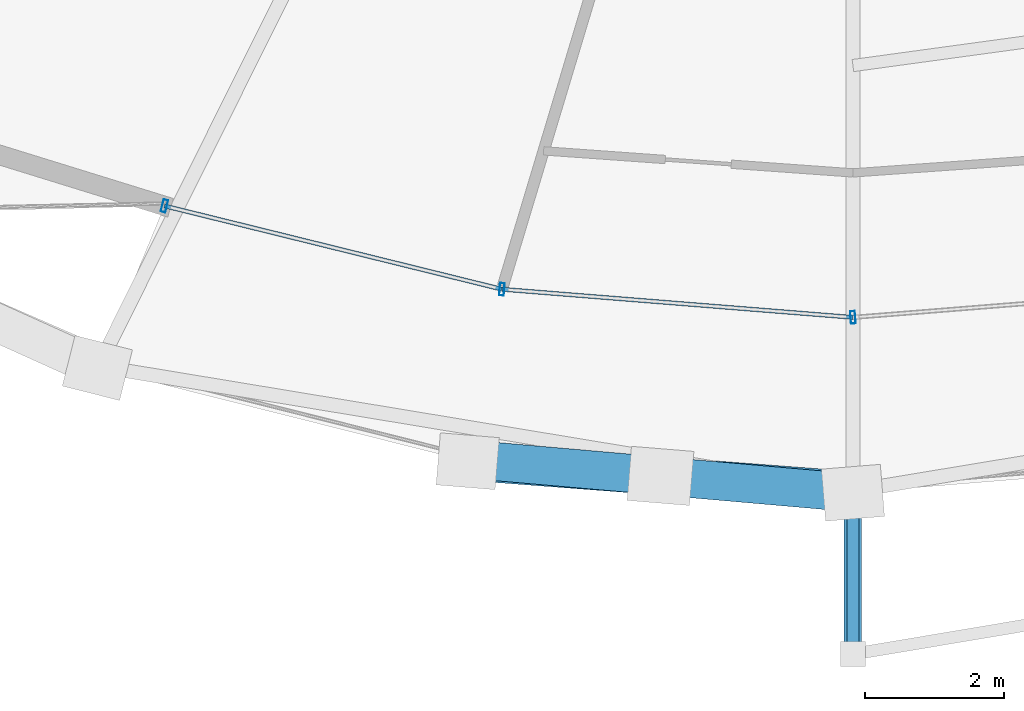
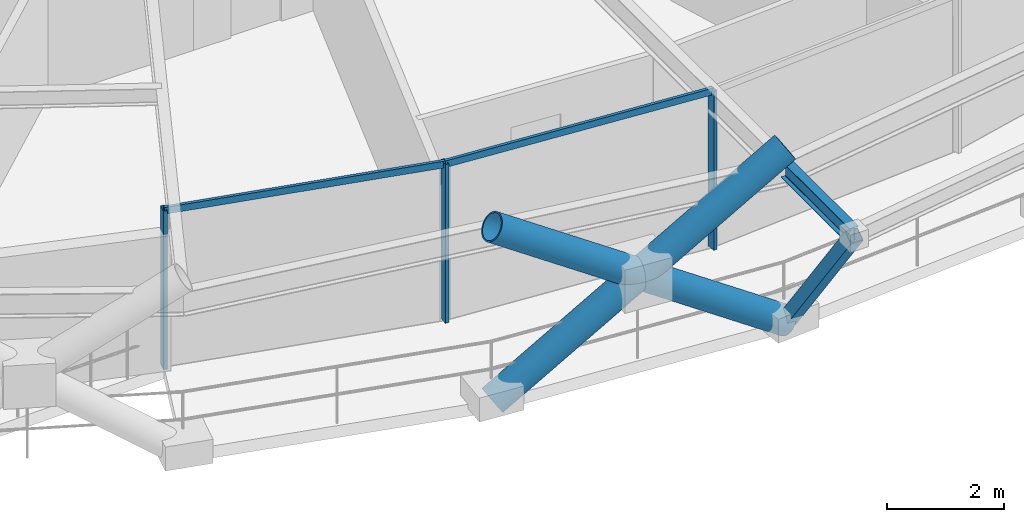
# One storey, part 2 of 22: 9 members, 1 beam, 1 element without a shape of its own.
"""IFC4 building model written with IfcOpenShell, lengths in metres."""

from ifc_helpers import new_model, si_unit, direction, frame, origin, origin_2d, place, context, subcontext, project, spatial, hollow_rectangle, hollow_circle, i_section, extrude, material, layer, layer_set, material_profile, profile_set, type_object, element, aggregate, save


model = new_model("IFC4")

# Units and contexts
model_context = context("Model", 3, precision=1e-05, world=origin(), true_north=direction((0.0, 1.0)))
body_context = subcontext(model_context, "Body", "Model", "MODEL_VIEW")
ifc_project = project(units=[si_unit("LENGTHUNIT", "METRE"), si_unit("AREAUNIT", "SQUARE_METRE"), si_unit("VOLUMEUNIT", "CUBIC_METRE"), si_unit("PLANEANGLEUNIT", "RADIAN"), si_unit("MASSUNIT", "GRAM", prefix="KILO")], contexts=[model_context])

# Site, building, storey
site_placement = place(None, origin())
site = spatial("IfcSite", under=ifc_project, at=site_placement, CompositionType="ELEMENT")
building_placement = place(site_placement, origin())
building = spatial("IfcBuilding", under=site, at=building_placement, Name="Veldorina Hangang Commons", CompositionType="ELEMENT")
storey_placement = place(building_placement, frame((0.0, 0.0, 146.0)))
storey = spatial("IfcBuildingStorey", under=building, at=storey_placement, Name="L37", CompositionType="ELEMENT", Elevation=146.0)

# Beam
ifc_material_1 = material(Name="Steel SM355-TMC", Category="steel")
ifc_material_profile_1 = material_profile(ifc_material_1, i_section(OverallWidth=0.175048828125, OverallDepth=0.35009765625, WebThickness=0.007080078125, FlangeThickness=0.010986328125, FilletRadius=0.012939453125, at=origin_2d()), Name="H-350x175x7x11")
ifc_profile_set_1 = profile_set([ifc_material_profile_1], Name="Steel SM355-TMC")
beam_type = type_object("IfcBeamType", Name="BM-FG350", PredefinedType="BEAM", material=ifc_profile_set_1)
beam_placement = place(storey_placement, frame((32.0, 0.471923828125, 3.175048828125), z_axis=(0.0, -1.0, 0.0), x_axis=(1.0, 0.0, 0.0)))
element("IfcBeam", 1, at=beam_placement, inside=storey, type_object=beam_type, Name="L38 tree balcony 1 bracket beam A", PredefinedType="BEAM", context=body_context, shape_type="SweptSolid", body=[
    extrude(i_section(OverallWidth=0.175048828125, OverallDepth=0.35009765625, WebThickness=0.007080078125, FlangeThickness=0.010986328125, FilletRadius=0.012939453125, at=origin_2d()), origin(), (0.0, 0.0, 1.0), 2.349853515625),
])

# Curtain wall, members
ifc_material_2 = material(Name="Glass Low-E Triple IGU", Category="glass")
ifc_layer = layer(ifc_material_2, 0.179931640625)
ifc_layer_set = layer_set([ifc_layer], Name="Glass Low-E Triple IGU")
curtain_wall_type = type_object("IfcCurtainWallType", Name="CW-SYS-Z2", PredefinedType="NOTDEFINED", material=ifc_layer_set)
curtain_wall_placement = place(storey_placement, origin())
curtain_wall = element("IfcCurtainWall", 2, at=curtain_wall_placement, inside=storey, type_object=curtain_wall_type, Name="L37 unitised curtain wall CW-L37-R1", PredefinedType="NOTDEFINED")
ifc_material_3 = material(Name="Aluminium Anodized AA6063-T6", Category="aluminium")
ifc_material_profile_2 = material_profile(ifc_material_3, hollow_rectangle(XDim=0.070068359375, YDim=0.179931640625, WallThickness=0.00390625, at=origin_2d()), Name="ALU-RHS-180x70x4")
ifc_profile_set_2 = profile_set([ifc_material_profile_2], Name="Aluminium Anodized AA6063-T6")
member_type_1 = type_object("IfcMemberType", Name="CW-MUL-180", PredefinedType="MULLION", material=ifc_profile_set_2)
member_1_placement = place(storey_placement, frame((22.107421875, 4.562255859375, 0.0), z_axis=(0.0, 0.0, 1.0), x_axis=(0.970850498824, -0.23968585468, 0.0)))
member_1 = element("IfcMember", 3, at=member_1_placement, type_object=member_type_1, Name="CW-L37-R1 vertical mullion 1", PredefinedType="MULLION", context=body_context, shape_type="SweptSolid", body=[
    extrude(hollow_rectangle(XDim=0.070068359375, YDim=0.179931640625, WallThickness=0.00390625, at=origin_2d()), origin(), (0.0, 0.0, 1.0), 3.31005859375),
])
member_2_placement = place(storey_placement, frame((26.956787109375, 3.364990234375, 0.0), z_axis=(0.0, 0.0, 1.0), x_axis=(0.99680263008, -0.079903170556, 0.0)))
member_2 = element("IfcMember", 4, at=member_2_placement, type_object=member_type_1, Name="CW-L37-R1 vertical mullion 2", PredefinedType="MULLION", context=body_context, shape_type="SweptSolid", body=[
    extrude(hollow_rectangle(XDim=0.070068359375, YDim=0.179931640625, WallThickness=0.00390625, at=origin_2d()), origin(), (0.0, 0.0, 1.0), 3.31005859375),
])
member_3_placement = place(storey_placement, frame((32.0, 2.960693359375, 0.0), z_axis=(0.0, 0.0, 1.0), x_axis=(0.99680263008, 0.079903170556, 0.0)))
member_3 = element("IfcMember", 5, at=member_3_placement, type_object=member_type_1, Name="CW-L37-R1 vertical mullion 3", PredefinedType="MULLION", context=body_context, shape_type="SweptSolid", body=[
    extrude(hollow_rectangle(XDim=0.070068359375, YDim=0.179931640625, WallThickness=0.00390625, at=origin_2d()), origin(), (0.0, 0.0, 1.0), 3.31005859375),
])
ifc_material_profile_3 = material_profile(ifc_material_3, hollow_rectangle(XDim=0.06005859375, YDim=0.139892578125, WallThickness=0.00341796875, at=origin_2d()), Name="ALU-RHS-140x60x3.5")
ifc_profile_set_3 = profile_set([ifc_material_profile_3], Name="Aluminium Anodized AA6063-T6")
member_type_2 = type_object("IfcMemberType", Name="CW-TRN-140", PredefinedType="USERDEFINED", material=ifc_profile_set_3)
member_4_placement = place(storey_placement, frame((22.107421875, 4.562255859375, 3.27001953125), z_axis=(0.970848498836, -0.23969395551, 0.0), x_axis=(0.23969395551, 0.970848498836, 0.0)))
member_4 = element("IfcMember", 6, at=member_4_placement, type_object=member_type_2, Name="CW-L37-R1 facet 1 transom 1", ObjectType="TRANSOM", PredefinedType="USERDEFINED", context=body_context, shape_type="SweptSolid", body=[
    extrude(hollow_rectangle(XDim=0.06005859375, YDim=0.139892578125, WallThickness=0.00341796875, at=origin_2d()), origin(), (0.0, 0.0, 1.0), 4.994873046875),
])
member_5_placement = place(storey_placement, frame((26.956787109375, 3.364990234375, 3.27001953125), z_axis=(0.996802069583, -0.079910162523, 0.0), x_axis=(0.079910162523, 0.996802069583, 0.0)))
member_5 = element("IfcMember", 7, at=member_5_placement, type_object=member_type_2, Name="CW-L37-R1 facet 2 transom 1", ObjectType="TRANSOM", PredefinedType="USERDEFINED", context=body_context, shape_type="SweptSolid", body=[
    extrude(hollow_rectangle(XDim=0.06005859375, YDim=0.139892578125, WallThickness=0.00341796875, at=origin_2d()), origin(), (0.0, 0.0, 1.0), 5.059326171875),
])
aggregate(curtain_wall, [member_1, member_2, member_3, member_4, member_5])

# Members
ifc_material_4 = material(Name="Steel SM420-TMC", Category="steel")
ifc_material_profile_4 = material_profile(ifc_material_4, hollow_circle(Radius=0.27490234375, WallThickness=0.028076171875, at=origin_2d()), Name="CHS-550x28")
ifc_profile_set_4 = profile_set([ifc_material_profile_4], Name="Steel SM420-TMC")
member_type_3 = type_object("IfcMemberType", Name="DG-CHS550", PredefinedType="BRACE", material=ifc_profile_set_4)
member_6_placement = place(storey_placement, frame((26.465087890625, 0.893310546875, 0.0), z_axis=(0.836575195499, -0.063690564485, 0.54413734872), x_axis=(0.075912820592, 0.99711445866, 0.0)))
element("IfcMember", 8, at=member_6_placement, inside=storey, type_object=member_type_3, Name="L37 continuous perimeter diagrid brace 23", PredefinedType="BRACE", context=body_context, shape_type="SweptSolid", body=[
    extrude(hollow_circle(Radius=0.27490234375, WallThickness=0.028076171875, at=origin_2d()), origin(), (0.0, 0.0, 1.0), 6.6162109375),
])
member_7_placement = place(storey_placement, frame((32.0, 0.440673828125, 0.0), z_axis=(-0.835622568837, 0.073115130295, 0.544416293082), x_axis=(-0.087164768079, -0.996193908436, 0.0)))
element("IfcMember", 9, at=member_7_placement, inside=storey, type_object=member_type_3, Name="L37 split perimeter diagrid lower brace 24", PredefinedType="BRACE", context=body_context, shape_type="SweptSolid", body=[
    extrude(hollow_circle(Radius=0.27490234375, WallThickness=0.028076171875, at=origin_2d()), origin(), (0.0, 0.0, 1.0), 3.30908203125),
])
member_8_placement = place(storey_placement, frame((29.23486328125, 0.6826171875, 1.801513671875), z_axis=(-0.835655953152, 0.073080178413, 0.544369741522), x_axis=(-0.087119962131, -0.996197827843, 0.0)))
element("IfcMember", 10, at=member_8_placement, inside=storey, type_object=member_type_3, Name="L37 split perimeter diagrid upper brace 24", PredefinedType="BRACE", context=body_context, shape_type="SweptSolid", body=[
    extrude(hollow_circle(Radius=0.27490234375, WallThickness=0.028076171875, at=origin_2d()), origin(), (0.0, 0.0, 1.0), 3.303955078125),
])
ifc_material_profile_5 = material_profile(ifc_material_1, hollow_rectangle(XDim=0.25, YDim=0.25, WallThickness=0.011962890625, at=origin_2d()), Name="SHS-250x250x12")
ifc_profile_set_5 = profile_set([ifc_material_profile_5], Name="Steel SM355-TMC")
member_type_4 = type_object("IfcMemberType", Name="STR-SHS250", PredefinedType="STRUT", material=ifc_profile_set_5)
member_9_placement = place(storey_placement, frame((32.0, 0.440673828125, 0.0), z_axis=(0.0, -0.589747204545, 0.807587911457), x_axis=(1.0, 0.0, 0.0)))
element("IfcMember", 11, at=member_9_placement, inside=storey, type_object=member_type_4, Name="L38 tree balcony 1 raking knee strut A", PredefinedType="STRUT", context=body_context, shape_type="SweptSolid", body=[
    extrude(hollow_rectangle(XDim=0.25, YDim=0.25, WallThickness=0.011962890625, at=origin_2d()), origin(), (0.0, 0.0, 1.0), 3.931640625),
])

save(model, "model.ifc")
